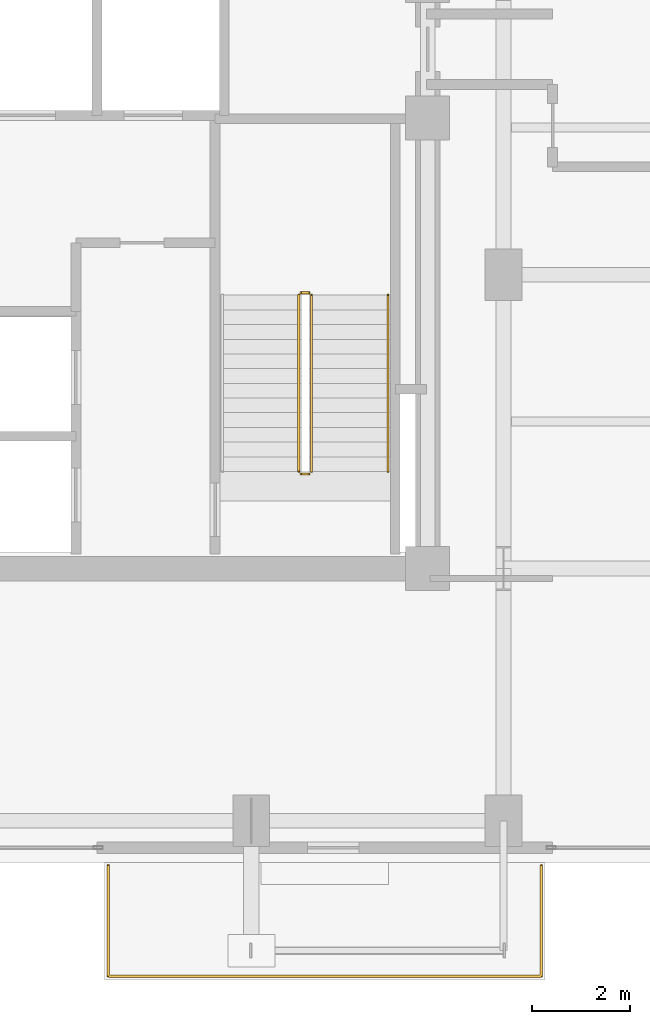
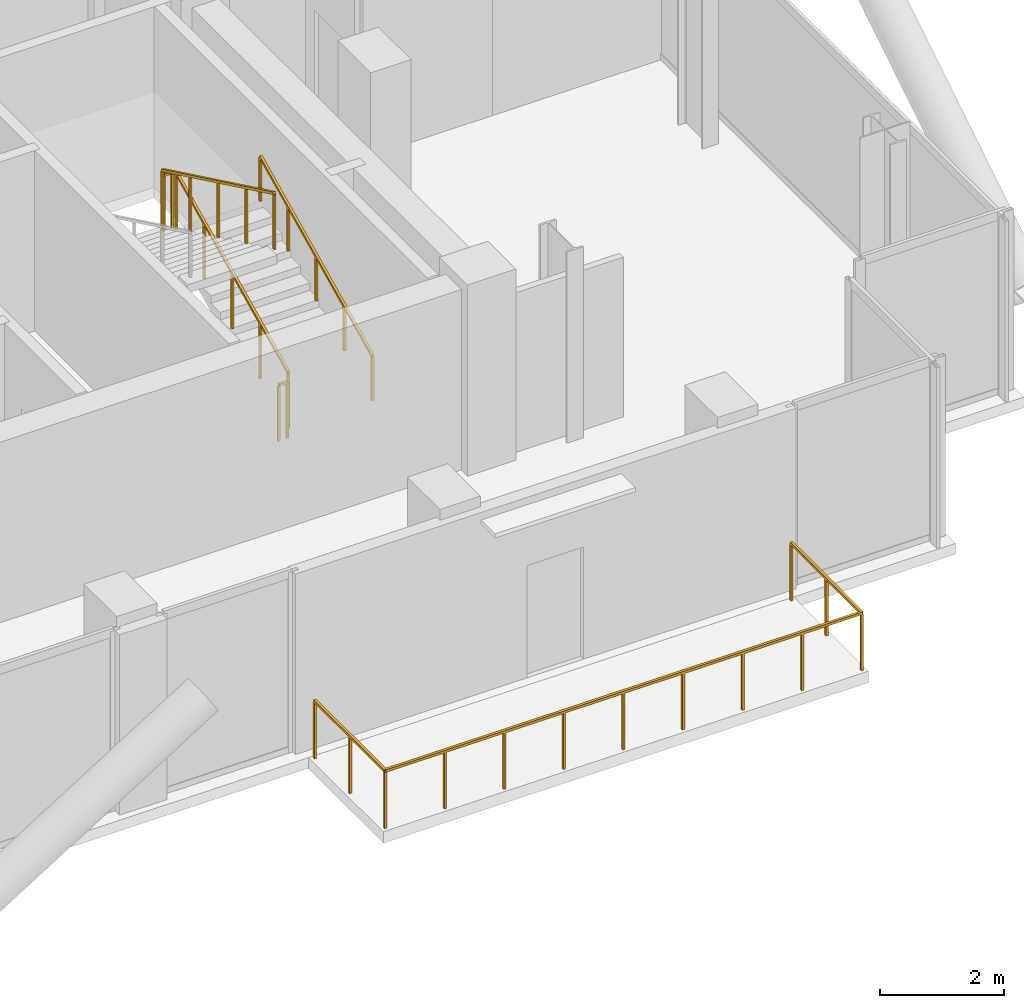
# One storey, part 25 of 25: 6 railings.
"""IFC4 building model written with IfcOpenShell, lengths in metres."""

from ifc_helpers import new_model, si_unit, direction, frame, origin, origin_2d, place, context, subcontext, project, spatial, rectangle, extrude, material, type_object, element, save


model = new_model("IFC4")

# Units and contexts
model_context = context("Model", 3, precision=1e-05, world=origin(), true_north=direction((0.0, 1.0)))
body_context = subcontext(model_context, "Body", "Model", "MODEL_VIEW")
ifc_project = project(units=[si_unit("LENGTHUNIT", "METRE"), si_unit("AREAUNIT", "SQUARE_METRE"), si_unit("VOLUMEUNIT", "CUBIC_METRE"), si_unit("PLANEANGLEUNIT", "RADIAN"), si_unit("MASSUNIT", "GRAM", prefix="KILO"), si_unit("THERMODYNAMICTEMPERATUREUNIT", "KELVIN"), si_unit("POWERUNIT", "WATT")], contexts=[model_context])

# Site, building, storey
site_placement = place(None, origin())
site = spatial("IfcSite", under=ifc_project, at=site_placement, CompositionType="ELEMENT")
building_placement = place(site_placement, origin())
building = spatial("IfcBuilding", under=site, at=building_placement, Name="Svarakhadi Broadcast Tower", CompositionType="ELEMENT")
storey_placement = place(building_placement, frame((0.0, 0.0, 212.39990234375)))
storey = spatial("IfcBuildingStorey", under=building, at=storey_placement, Name="L52", CompositionType="ELEMENT", Elevation=212.39990234375)

# Railings
ifc_material_1 = material(Name="Laminated Structural SentryGlas Balustrade 25.5 mm", Category="glass")
railing_type_1 = type_object("IfcRailingType", Name="Guard_Balcony_GR01", PredefinedType="BALUSTRADE", material=ifc_material_1)
railing_1_placement = place(storey_placement, frame((27.080078125, -0.06005859375, 0.0)))
element("IfcRailing", 1, at=railing_1_placement, inside=storey, type_object=railing_type_1, Name="L52 South Tree Balcony Guard GR-05", PredefinedType="BALUSTRADE", context=body_context, shape_type="SweptSolid", body=[
    extrude(rectangle(XDim=0.048095703125, YDim=0.048095703125, at=origin_2d()), frame((0.0, 0.0, 1.1259765625), z_axis=(0.0, -1.0, 0.0), x_axis=(1.0, 0.0, 0.0)), (0.0, 0.0, 1.0), 2.260009765625),
    extrude(rectangle(XDim=0.048095703125, YDim=0.048095703125, at=origin_2d()), frame((0.0, -2.260009765625, 1.1259765625), z_axis=(1.0, 0.0, 0.0), x_axis=(0.0, 1.0, 0.0)), (0.0, 0.0, 1.0), 8.83984375),
    extrude(rectangle(XDim=0.048095703125, YDim=0.048095703125, at=origin_2d()), frame((8.83984375, -2.260009765625, 1.1259765625), z_axis=(0.0, 1.0, 0.0), x_axis=(-1.0, 0.0, 0.0)), (0.0, 0.0, 1.0), 2.260009765625),
    extrude(rectangle(XDim=0.0419921875, YDim=0.0419921875, at=origin_2d()), origin(), (0.0, 0.0, 1.0), 1.101806640625),
    extrude(rectangle(XDim=0.0419921875, YDim=0.0419921875, at=origin_2d()), frame((0.0, -1.1298828125, 0.0)), (0.0, 0.0, 1.0), 1.101806640625),
    extrude(rectangle(XDim=0.0419921875, YDim=0.0419921875, at=origin_2d()), frame((0.0, -2.260009765625, 0.0)), (0.0, 0.0, 1.0), 1.101806640625),
    extrude(rectangle(XDim=0.0419921875, YDim=0.0419921875, at=origin_2d()), frame((1.10498046875, -2.260009765625, 0.0)), (0.0, 0.0, 1.0), 1.101806640625),
    extrude(rectangle(XDim=0.0419921875, YDim=0.0419921875, at=origin_2d()), frame((2.2099609375, -2.260009765625, 0.0)), (0.0, 0.0, 1.0), 1.101806640625),
    extrude(rectangle(XDim=0.0419921875, YDim=0.0419921875, at=origin_2d()), frame((3.31494140625, -2.260009765625, 0.0)), (0.0, 0.0, 1.0), 1.101806640625),
    extrude(rectangle(XDim=0.0419921875, YDim=0.0419921875, at=origin_2d()), frame((4.419921875, -2.260009765625, 0.0)), (0.0, 0.0, 1.0), 1.101806640625),
    extrude(rectangle(XDim=0.0419921875, YDim=0.0419921875, at=origin_2d()), frame((5.52490234375, -2.260009765625, 0.0)), (0.0, 0.0, 1.0), 1.101806640625),
    extrude(rectangle(XDim=0.0419921875, YDim=0.0419921875, at=origin_2d()), frame((6.6298828125, -2.260009765625, 0.0)), (0.0, 0.0, 1.0), 1.101806640625),
    extrude(rectangle(XDim=0.0419921875, YDim=0.0419921875, at=origin_2d()), frame((7.73486328125, -2.260009765625, 0.0)), (0.0, 0.0, 1.0), 1.101806640625),
    extrude(rectangle(XDim=0.0419921875, YDim=0.0419921875, at=origin_2d()), frame((8.83984375, -2.260009765625, 0.0)), (0.0, 0.0, 1.0), 1.101806640625),
    extrude(rectangle(XDim=0.0419921875, YDim=0.0419921875, at=origin_2d()), frame((8.83984375, -1.1298828125, 0.0)), (0.0, 0.0, 1.0), 1.101806640625),
    extrude(rectangle(XDim=0.0419921875, YDim=0.0419921875, at=origin_2d()), frame((8.83984375, 0.0, 0.0)), (0.0, 0.0, 1.0), 1.101806640625),
])
ifc_material_2 = material(Name="Anodised Bronze Aluminium AA 6063-T6", Category="aluminium")
railing_type_2 = type_object("IfcRailingType", Name="Guard_Stair_GR01", PredefinedType="GUARDRAIL", material=ifc_material_2)
railing_2_placement = place(storey_placement, frame((31.22998046875, 7.97998046875, 0.144287109375)))
element("IfcRailing", 2, at=railing_2_placement, inside=storey, type_object=railing_type_2, Name="L52 ST-02 stair guard 1", PredefinedType="GUARDRAIL", context=body_context, shape_type="SweptSolid", body=[
    extrude(rectangle(XDim=0.048095703125, YDim=0.048095703125, at=origin_2d()), frame((0.0, 0.0, 1.09619140625), z_axis=(0.0, 0.901262522062, 0.433273431364), x_axis=(-1.0, 0.0, 0.0)), (0.0, 0.0, 1.0), 3.994384765625),
    extrude(rectangle(XDim=0.0419921875, YDim=0.0419921875, at=origin_2d()), origin(), (0.0, 0.0, 1.0), 1.072021484375),
    extrude(rectangle(XDim=0.0419921875, YDim=0.0419921875, at=origin_2d()), frame((0.0, 0.89990234375, 0.4326171875)), (0.0, 0.0, 1.0), 1.072021484375),
    extrude(rectangle(XDim=0.0419921875, YDim=0.0419921875, at=origin_2d()), frame((0.0, 1.800048828125, 0.865234375)), (0.0, 0.0, 1.0), 1.072021484375),
    extrude(rectangle(XDim=0.0419921875, YDim=0.0419921875, at=origin_2d()), frame((0.0, 2.7001953125, 1.298095703125)), (0.0, 0.0, 1.0), 1.072021484375),
    extrude(rectangle(XDim=0.0419921875, YDim=0.0419921875, at=origin_2d()), frame((0.0, 3.60009765625, 1.730712890625)), (0.0, 0.0, 1.0), 1.072021484375),
])
railing_3_placement = place(storey_placement, frame((31.179931640625, 11.6298828125, 1.875)))
element("IfcRailing", 3, at=railing_3_placement, inside=storey, type_object=railing_type_2, Name="L52 ST-02 stair guard 2", PredefinedType="GUARDRAIL", context=body_context, shape_type="SweptSolid", body=[
    extrude(rectangle(XDim=0.048095703125, YDim=0.048095703125, at=origin_2d()), frame((0.0, 0.0, 1.09619140625), z_axis=(-1.0, 0.0, 0.0), x_axis=(0.0, -1.0, 0.0)), (0.0, 0.0, 1.0), 0.159912109375),
    extrude(rectangle(XDim=0.0419921875, YDim=0.0419921875, at=origin_2d()), origin(), (0.0, 0.0, 1.0), 1.072021484375),
    extrude(rectangle(XDim=0.0419921875, YDim=0.0419921875, at=origin_2d()), frame((-0.159912109375, 0.0, 0.0)), (0.0, 0.0, 1.0), 1.072021484375),
])
railing_4_placement = place(storey_placement, frame((30.969970703125, 11.580078125, 2.019287109375)))
element("IfcRailing", 4, at=railing_4_placement, inside=storey, type_object=railing_type_2, Name="L52 ST-02 stair guard 3", PredefinedType="GUARDRAIL", context=body_context, shape_type="SweptSolid", body=[
    extrude(rectangle(XDim=0.048095703125, YDim=0.048095703125, at=origin_2d()), frame((0.0, 0.0, 1.09619140625), z_axis=(0.0, -0.901262522062, 0.433273431364), x_axis=(1.0, 0.0, 0.0)), (0.0, 0.0, 1.0), 3.994384765625),
    extrude(rectangle(XDim=0.0419921875, YDim=0.0419921875, at=origin_2d()), origin(), (0.0, 0.0, 1.0), 1.072021484375),
    extrude(rectangle(XDim=0.0419921875, YDim=0.0419921875, at=origin_2d()), frame((0.0, -0.89990234375, 0.4326171875)), (0.0, 0.0, 1.0), 1.072021484375),
    extrude(rectangle(XDim=0.0419921875, YDim=0.0419921875, at=origin_2d()), frame((0.0, -1.800048828125, 0.865234375)), (0.0, 0.0, 1.0), 1.072021484375),
    extrude(rectangle(XDim=0.0419921875, YDim=0.0419921875, at=origin_2d()), frame((0.0, -2.7001953125, 1.298095703125)), (0.0, 0.0, 1.0), 1.072021484375),
    extrude(rectangle(XDim=0.0419921875, YDim=0.0419921875, at=origin_2d()), frame((0.0, -3.60009765625, 1.730712890625)), (0.0, 0.0, 1.0), 1.072021484375),
])
railing_5_placement = place(storey_placement, frame((31.179931640625, 7.929931640625, 0.0)))
element("IfcRailing", 5, at=railing_5_placement, inside=storey, type_object=railing_type_2, Name="L52 ST-02 stair guard 4", PredefinedType="GUARDRAIL", context=body_context, shape_type="SweptSolid", body=[
    extrude(rectangle(XDim=0.048095703125, YDim=0.048095703125, at=origin_2d()), frame((0.0, 0.0, 1.09619140625), z_axis=(-1.0, 0.0, 0.0), x_axis=(0.0, -1.0, 0.0)), (0.0, 0.0, 1.0), 0.159912109375),
    extrude(rectangle(XDim=0.0419921875, YDim=0.0419921875, at=origin_2d()), origin(), (0.0, 0.0, 1.0), 1.072021484375),
    extrude(rectangle(XDim=0.0419921875, YDim=0.0419921875, at=origin_2d()), frame((-0.159912109375, 0.0, 0.0)), (0.0, 0.0, 1.0), 1.072021484375),
])
railing_type_3 = type_object("IfcRailingType", Name="Handrail_Stair_HR01", PredefinedType="HANDRAIL", material=ifc_material_2)
railing_6_placement = place(storey_placement, frame((32.7900390625, 7.97998046875, 0.144287109375)))
element("IfcRailing", 6, at=railing_6_placement, inside=storey, type_object=railing_type_3, Name="L52 ST-02 stair handrail 1", PredefinedType="HANDRAIL", context=body_context, shape_type="SweptSolid", body=[
    extrude(rectangle(XDim=0.048095703125, YDim=0.048095703125, at=origin_2d()), frame((0.0, 0.0, 0.8759765625), z_axis=(0.0, 0.901262522062, 0.433273431364), x_axis=(-1.0, 0.0, 0.0)), (0.0, 0.0, 1.0), 3.994384765625),
    extrude(rectangle(XDim=0.0419921875, YDim=0.0419921875, at=origin_2d()), origin(), (0.0, 0.0, 1.0), 0.851806640625),
    extrude(rectangle(XDim=0.0419921875, YDim=0.0419921875, at=origin_2d()), frame((0.0, 0.89990234375, 0.4326171875)), (0.0, 0.0, 1.0), 0.851806640625),
    extrude(rectangle(XDim=0.0419921875, YDim=0.0419921875, at=origin_2d()), frame((0.0, 1.800048828125, 0.865234375)), (0.0, 0.0, 1.0), 0.851806640625),
    extrude(rectangle(XDim=0.0419921875, YDim=0.0419921875, at=origin_2d()), frame((0.0, 2.7001953125, 1.298095703125)), (0.0, 0.0, 1.0), 0.851806640625),
    extrude(rectangle(XDim=0.0419921875, YDim=0.0419921875, at=origin_2d()), frame((0.0, 3.60009765625, 1.730712890625)), (0.0, 0.0, 1.0), 0.851806640625),
])

save(model, "model.ifc")
